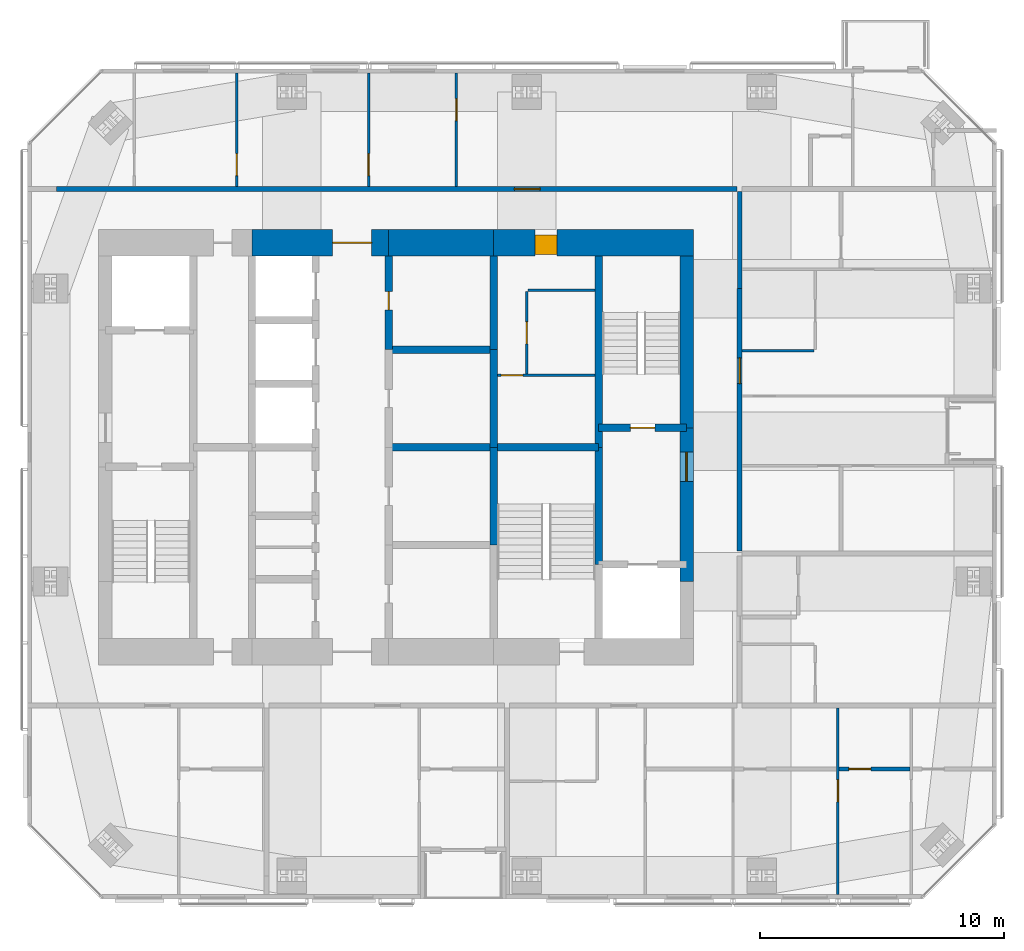
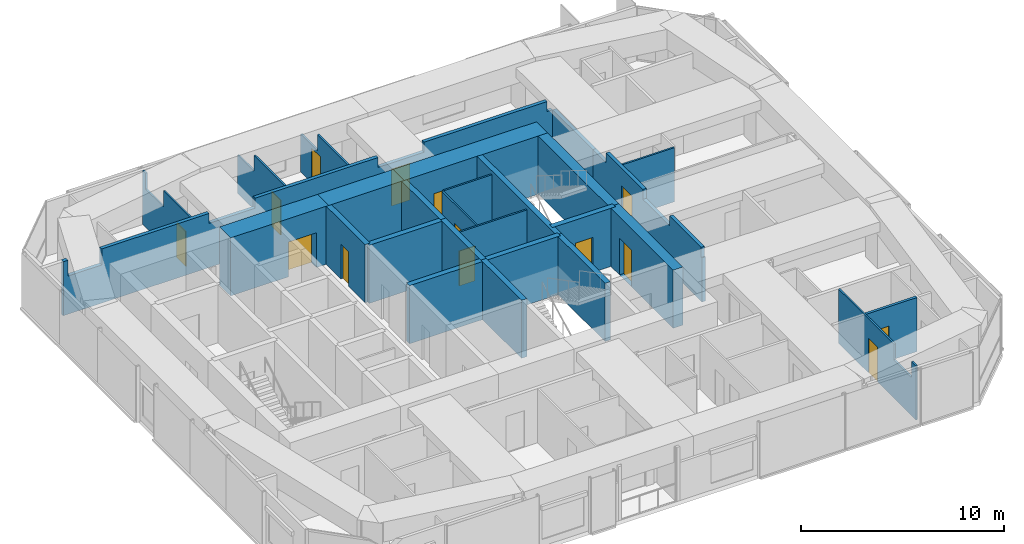
# One storey, part 17 of 20: 27 walls, 14 doors, 14 openings.
"""IFC4 building model written with IfcOpenShell, lengths in metres."""

from ifc_helpers import new_model, si_unit, direction, frame, frame_2d, origin, place, context, subcontext, project, spatial, polyline, rectangle, outline, extrude, material, layer, layer_set, constituent, constituent_set, type_object, element, fill, save


model = new_model("IFC4")

# Units and contexts
model_context = context("Model", 3, precision=1e-05, world=origin(), true_north=direction((0.0, 1.0)))
body_context = subcontext(model_context, "Body", "Model", "MODEL_VIEW")
ifc_project = project(units=[si_unit("LENGTHUNIT", "METRE"), si_unit("AREAUNIT", "SQUARE_METRE"), si_unit("VOLUMEUNIT", "CUBIC_METRE"), si_unit("PLANEANGLEUNIT", "RADIAN"), si_unit("MASSUNIT", "GRAM", prefix="KILO")], contexts=[model_context])

# Site, building, storey
site_placement = place(None, origin())
site = spatial("IfcSite", under=ifc_project, at=site_placement, CompositionType="ELEMENT")
building_placement = place(site_placement, origin())
building = spatial("IfcBuilding", under=site, at=building_placement, Name="Jalousie Tower", CompositionType="ELEMENT")
storey_placement = place(building_placement, frame((0.0, 0.0, 245.949951171875)))
storey = spatial("IfcBuildingStorey", under=building, at=storey_placement, Name="L67", CompositionType="ELEMENT", Elevation=245.949951171875)

# Wall, opening, door
ifc_material_1 = material(Name="Concrete block ASTM C90", Category="concrete")
ifc_constituent_1 = constituent(ifc_material_1, Name="Body")
ifc_material_2 = material(Name="Render")
ifc_constituent_2 = constituent(ifc_material_2, Name="Finish")
ifc_constituent_set_1 = constituent_set(constituents=[ifc_constituent_1, ifc_constituent_2])
wall_type_1 = type_object("IfcWallType", Name="BATHROOM WALL 150", PredefinedType="PLUMBINGWALL", material=ifc_constituent_set_1)
wall_1_placement = place(storey_placement, frame((50.050048828125, 5.324951171875, 0.0), z_axis=(0.0, 0.0, 1.0), x_axis=(1.0, 0.0, 0.0)))
wall_1 = element("IfcWall", 1, at=wall_1_placement, inside=storey, type_object=wall_type_1, Name="Bathroom Wall 150 L67", PredefinedType="PLUMBINGWALL", context=body_context, shape_type="SweptSolid", body=[
    extrude(rectangle(XDim=2.89990234375, YDim=0.14990234375, at=frame_2d((1.449951171875, 0.0))), origin(), (0.0, 0.0, 1.0), 3.260009765625),
])
opening_1_placement = place(wall_1_placement, frame((0.39990234375, 0.0, 0.0)))
opening_1 = element("IfcOpeningElement", 2, at=opening_1_placement, cuts=wall_1, Name="Opening D3", PredefinedType="OPENING", context=body_context, shape_type="SweptSolid", body=[
    extrude(rectangle(XDim=0.89990234375, YDim=2.10009765625, at=frame_2d((0.449951171875, 1.050048828125))), frame((0.0, 0.0849609375, 0.0), z_axis=(0.0, -1.0, 0.0), x_axis=(1.0, 0.0, 0.0)), (0.0, 0.0, 1.0), 0.169921875),
])
ifc_material_3 = material(Name="Timber door", Category="wood")
door_type_1 = type_object("IfcDoorType", Name="BATHROOM DOOR 900", OperationType="SINGLE_SWING_LEFT", PredefinedType="DOOR", material=ifc_material_3)
door_1_placement = place(opening_1_placement, origin())
door_1 = element("IfcDoor", 3, at=door_1_placement, inside=storey, type_object=door_type_1, Name="Apartment 6703 bedroom 3 bathroom door", OperationType="SINGLE_SWING_LEFT", OverallHeight=2.10009765625, OverallWidth=0.89990234375, PredefinedType="DOOR", context=body_context, shape_type="SweptSolid", body=[
    extrude(rectangle(XDim=0.89990234375, YDim=2.10009765625, at=frame_2d((0.449951171875, 1.050048828125))), frame((0.0, 0.02490234375, 0.0), z_axis=(0.0, -1.0, 0.0), x_axis=(1.0, 0.0, 0.0)), (0.0, 0.0, 1.0), 0.050048828125),
])
fill(opening_1, door_1)

ifc_material_4 = material(Name="Concrete f'c 120 MPa", Category="concrete")
ifc_layer_1 = layer(ifc_material_4, 1.10009765625)
ifc_layer_set_1 = layer_set([ifc_layer_1], Name="Concrete f'c 120 MPa")
wall_type_2 = type_object("IfcWallType", Name="CORE WALL 1100", PredefinedType="SHEAR", material=ifc_layer_set_1)
wall_2_placement = place(storey_placement, frame((44.074951171875, 26.875, 0.0), z_axis=(0.0, 0.0, 1.0), x_axis=(-1.0, 0.0, 0.0)))
wall_2 = element("IfcWall", 4, at=wall_2_placement, inside=storey, type_object=wall_type_2, Name="Core wall NA L67", PredefinedType="SHEAR", context=body_context, shape_type="SweptSolid", body=[
    extrude(rectangle(XDim=8.175048828125, YDim=1.10009765625, at=frame_2d((4.08740234375, 0.0))), origin(), (0.0, 0.0, 1.0), 3.5),
])
opening_2_placement = place(wall_2_placement, frame((5.574951171875, 0.0, 0.0)))
opening_2 = element("IfcOpeningElement", 5, at=opening_2_placement, cuts=wall_2, Name="Opening D25", PredefinedType="OPENING", context=body_context, shape_type="SweptSolid", body=[
    extrude(rectangle(XDim=0.89990234375, YDim=2.10009765625, at=frame_2d((0.449951171875, 1.050048828125))), frame((0.0, 0.56005859375, 0.0), z_axis=(0.0, -1.0, 0.0), x_axis=(1.0, 0.0, 0.0)), (0.0, 0.0, 1.0), 1.1201171875),
])
ifc_material_5 = material(Name="Steel fire door", Category="steel")
door_type_2 = type_object("IfcDoorType", Name="SERVICE LOBBY DOOR 900", OperationType="SINGLE_SWING_LEFT", PredefinedType="DOOR", material=ifc_material_5)
door_2_placement = place(opening_2_placement, origin())
door_2 = element("IfcDoor", 6, at=door_2_placement, inside=storey, type_object=door_type_2, Name="Service lobby door", OperationType="SINGLE_SWING_LEFT", OverallHeight=2.10009765625, OverallWidth=0.89990234375, PredefinedType="DOOR", context=body_context, shape_type="SweptSolid", body=[
    extrude(rectangle(XDim=0.89990234375, YDim=2.10009765625, at=frame_2d((0.449951171875, 1.050048828125))), frame((0.0, 0.47021484375, 0.0), z_axis=(0.0, -1.0, 0.0), x_axis=(1.0, 0.0, 0.0)), (0.0, 0.0, 1.0), 0.800048828125),
])
fill(opening_2, door_2)

# Wall
wall_3_placement = place(storey_placement, frame((35.89990234375, 26.875, 0.0), z_axis=(0.0, 0.0, 1.0), x_axis=(-1.0, 0.0, 0.0)))
element("IfcWall", 7, at=wall_3_placement, inside=storey, type_object=wall_type_2, Name="Core wall NB L67", PredefinedType="SHEAR", context=body_context, shape_type="SweptSolid", body=[
    extrude(rectangle(XDim=4.2998046875, YDim=1.10009765625, at=frame_2d((2.14990234375, 0.0))), origin(), (0.0, 0.0, 1.0), 3.5),
])

# Wall, opening, door
wall_4_placement = place(storey_placement, frame((31.60009765625, 26.875, 0.0), z_axis=(0.0, 0.0, 1.0), x_axis=(-1.0, 0.0, 0.0)))
wall_4 = element("IfcWall", 8, at=wall_4_placement, inside=storey, type_object=wall_type_2, Name="Core wall NC L67", PredefinedType="SHEAR", context=body_context, shape_type="SweptSolid", body=[
    extrude(rectangle(XDim=5.60009765625, YDim=1.10009765625, at=frame_2d((2.800048828125, 0.0))), origin(), (0.0, 0.0, 1.0), 3.5),
])
opening_3_placement = place(wall_4_placement, frame((0.699951171875, 0.0, 0.0)))
opening_3 = element("IfcOpeningElement", 9, at=opening_3_placement, cuts=wall_4, Name="Opening D15", PredefinedType="OPENING", context=body_context, shape_type="SweptSolid", body=[
    extrude(rectangle(XDim=1.60009765625, YDim=2.10009765625, at=frame_2d((0.800048828125, 1.050048828125))), frame((0.0, 0.56005859375, 0.0), z_axis=(0.0, -1.0, 0.0), x_axis=(1.0, 0.0, 0.0)), (0.0, 0.0, 1.0), 1.1201171875),
])
ifc_material_6 = material(Name="Steel fire door", Category="steel")
door_type_3 = type_object("IfcDoorType", Name="LIFT LOBBY DOOR 1600", OperationType="DOUBLE_DOOR_SINGLE_SWING", PredefinedType="DOOR", material=ifc_material_6)
door_3_placement = place(opening_3_placement, origin())
door_3 = element("IfcDoor", 10, at=door_3_placement, inside=storey, type_object=door_type_3, Name="Lift lobby north door", OperationType="DOUBLE_DOOR_SINGLE_SWING", OverallHeight=2.10009765625, OverallWidth=1.60009765625, PredefinedType="DOOR", context=body_context, shape_type="SweptSolid", body=[
    extrude(rectangle(XDim=1.60009765625, YDim=2.10009765625, at=frame_2d((0.800048828125, 1.050048828125))), frame((0.0, 0.02490234375, 0.0), z_axis=(0.0, -1.0, 0.0), x_axis=(1.0, 0.0, 0.0)), (0.0, 0.0, 1.0), 0.050048828125),
])
fill(opening_3, door_3)

ifc_material_7 = material(Name="Concrete f'c 120 MPa", Category="concrete")
ifc_layer_2 = layer(ifc_material_7, 0.300048828125)
ifc_layer_set_2 = layer_set([ifc_layer_2], Name="Concrete f'c 120 MPa")
wall_type_3 = type_object("IfcWallType", Name="CORE WALL 300", PredefinedType="SHEAR", material=ifc_layer_set_2)
wall_5_placement = place(storey_placement, frame((31.60009765625, 22.5, 0.0), z_axis=(0.0, 0.0, 1.0), x_axis=(0.0, 1.0, 0.0)))
wall_5 = element("IfcWall", 11, at=wall_5_placement, inside=storey, type_object=wall_type_3, Name="Core wall X31.6D L67", PredefinedType="SHEAR", context=body_context, shape_type="SweptSolid", body=[
    extrude(rectangle(XDim=3.824951171875, YDim=0.300048828125, at=frame_2d((1.91259765625, 0.0))), origin(), (0.0, 0.0, 1.0), 3.5),
])
opening_4_placement = place(wall_5_placement, frame((1.625, 0.0, 0.0)))
opening_4 = element("IfcOpeningElement", 12, at=opening_4_placement, cuts=wall_5, Name="Opening D16", PredefinedType="OPENING", context=body_context, shape_type="SweptSolid", body=[
    extrude(rectangle(XDim=0.75, YDim=2.10009765625, at=frame_2d((0.375, 1.050048828125))), frame((0.0, 0.159912109375, 0.0), z_axis=(0.0, -1.0, 0.0), x_axis=(1.0, 0.0, 0.0)), (0.0, 0.0, 1.0), 0.320068359375),
])
ifc_material_8 = material(Name="Steel fire door", Category="steel")
door_type_4 = type_object("IfcDoorType", Name="RISER DOOR 750", OperationType="SINGLE_SWING_LEFT", PredefinedType="DOOR", material=ifc_material_8)
door_4_placement = place(opening_4_placement, frame((0.75, 0.0, 0.0), z_axis=(0.0, 0.0, 1.0), x_axis=(-1.0, 0.0, 0.0)))
door_4 = element("IfcDoor", 13, at=door_4_placement, inside=storey, type_object=door_type_4, Name="Water Services Room door", OperationType="SINGLE_SWING_LEFT", OverallHeight=2.10009765625, OverallWidth=0.75, PredefinedType="DOOR", context=body_context, shape_type="SweptSolid", body=[
    extrude(rectangle(XDim=0.75, YDim=2.10009765625, at=frame_2d((0.375, 1.050048828125))), frame((0.0, 0.02490234375, 0.0), z_axis=(0.0, -1.0, 0.0), x_axis=(1.0, 0.0, 0.0)), (0.0, 0.0, 1.0), 0.050048828125),
])
fill(opening_4, door_4)

# Walls
for number, where, z_axis, x_axis, name in (
    (14, (35.89990234375, 14.5, 0.0), (0.0, 0.0, 1.0), (0.0, 1.0, 0.0), "Core wall X35.9B L67"),
    (15, (35.89990234375, 18.5, 0.0), (0.0, 0.0, 1.0), (0.0, 1.0, 0.0), "Core wall X35.9C L67"),
):
    element("IfcWall", number, at=place(storey_placement, frame(where, z_axis=z_axis, x_axis=x_axis)), inside=storey, type_object=wall_type_3, Name=name, PredefinedType="SHEAR", context=body_context, shape_type="SweptSolid", body=[
        extrude(rectangle(XDim=4.0, YDim=0.300048828125, at=frame_2d((2.0, 0.0))), origin(), (0.0, 0.0, 1.0), 3.5),
    ])
wall_6_placement = place(storey_placement, frame((35.89990234375, 22.5, 0.0), z_axis=(0.0, 0.0, 1.0), x_axis=(0.0, 1.0, 0.0)))
element("IfcWall", 16, at=wall_6_placement, inside=storey, type_object=wall_type_3, Name="Core wall X35.9D L67", PredefinedType="SHEAR", context=body_context, shape_type="SweptSolid", body=[
    extrude(rectangle(XDim=3.824951171875, YDim=0.300048828125, at=frame_2d((1.91259765625, 0.0))), origin(), (0.0, 0.0, 1.0), 3.5),
])
wall_7_placement = place(storey_placement, frame((40.199951171875, 13.699951171875, 0.0), z_axis=(0.0, 0.0, 1.0), x_axis=(0.0, 1.0, 0.0)))
element("IfcWall", 17, at=wall_7_placement, inside=storey, type_object=wall_type_3, Name="Core wall X40.2B L67", PredefinedType="SHEAR", context=body_context, shape_type="SweptSolid", body=[
    extrude(rectangle(XDim=4.800048828125, YDim=0.300048828125, at=frame_2d((2.39990234375, 0.0))), origin(), (0.0, 0.0, 1.0), 3.5),
])
wall_8_placement = place(storey_placement, frame((40.199951171875, 18.5, 0.0), z_axis=(0.0, 0.0, 1.0), x_axis=(0.0, 1.0, 0.0)))
element("IfcWall", 18, at=wall_8_placement, inside=storey, type_object=wall_type_3, Name="Core wall X40.2C L67", PredefinedType="SHEAR", context=body_context, shape_type="SweptSolid", body=[
    extrude(rectangle(XDim=7.824951171875, YDim=0.300048828125, at=frame_2d((3.91259765625, 0.0))), origin(), (0.0, 0.0, 1.0), 3.5),
])
for number, where, z_axis, x_axis, name in (
    (19, (31.60009765625, 18.5, 0.0), (0.0, 0.0, 1.0), (1.0, 0.0, 0.0), "Core wall Y31.6-18.5 L67"),
    (20, (31.60009765625, 22.5, 0.0), (0.0, 0.0, 1.0), (1.0, 0.0, 0.0), "Core wall Y31.6-22.5 L67"),
):
    element("IfcWall", number, at=place(storey_placement, frame(where, z_axis=z_axis, x_axis=x_axis)), inside=storey, type_object=wall_type_3, Name=name, PredefinedType="SHEAR", context=body_context, shape_type="SweptSolid", body=[
        extrude(rectangle(XDim=4.2998046875, YDim=0.300048828125, at=frame_2d((2.14990234375, 0.0))), origin(), (0.0, 0.0, 1.0), 3.5),
    ])
wall_9_placement = place(storey_placement, frame((35.89990234375, 18.5, 0.0), z_axis=(0.0, 0.0, 1.0), x_axis=(1.0, 0.0, 0.0)))
element("IfcWall", 21, at=wall_9_placement, inside=storey, type_object=wall_type_3, Name="Core wall Y35.9-18.5 L67", PredefinedType="SHEAR", context=body_context, shape_type="SweptSolid", body=[
    extrude(rectangle(XDim=4.300048828125, YDim=0.300048828125, at=frame_2d((2.14990234375, 0.0))), origin(), (0.0, 0.0, 1.0), 3.5),
])

# Wall, opening, door
wall_10_placement = place(storey_placement, frame((40.199951171875, 19.300048828125, 0.0), z_axis=(0.0, 0.0, 1.0), x_axis=(1.0, 0.0, 0.0)))
wall_10 = element("IfcWall", 22, at=wall_10_placement, inside=storey, type_object=wall_type_3, Name="Core wall Y40.2-19.3 L67", PredefinedType="SHEAR", context=body_context, shape_type="SweptSolid", body=[
    extrude(rectangle(XDim=3.60009765625, YDim=0.300048828125, at=frame_2d((1.800048828125, 0.0))), origin(), (0.0, 0.0, 1.0), 3.5),
])
opening_5_placement = place(wall_10_placement, frame((1.300048828125, 0.0, 0.0)))
opening_5 = element("IfcOpeningElement", 23, at=opening_5_placement, cuts=wall_10, Name="Opening D10", PredefinedType="OPENING", context=body_context, shape_type="SweptSolid", body=[
    extrude(rectangle(XDim=1.0, YDim=2.10009765625, at=frame_2d((0.5, 1.050048828125))), frame((0.0, 0.159912109375, 0.0), z_axis=(0.0, -1.0, 0.0), x_axis=(1.0, 0.0, 0.0)), (0.0, 0.0, 1.0), 0.320068359375),
])
ifc_material_9 = material(Name="Steel fire door", Category="steel")
door_type_5 = type_object("IfcDoorType", Name="STAIR DOOR 1000", OperationType="SINGLE_SWING_LEFT", PredefinedType="DOOR", material=ifc_material_9)
door_5_placement = place(opening_5_placement, origin())
door_5 = element("IfcDoor", 24, at=door_5_placement, inside=storey, type_object=door_type_5, Name="Exit stair B door", OperationType="SINGLE_SWING_RIGHT", OverallHeight=2.10009765625, OverallWidth=1.0, PredefinedType="DOOR", context=body_context, shape_type="SweptSolid", body=[
    extrude(rectangle(XDim=1.0, YDim=2.10009765625, at=frame_2d((0.5, 1.050048828125))), frame((0.0, 0.02490234375, 0.0), z_axis=(0.0, -1.0, 0.0), x_axis=(1.0, 0.0, 0.0)), (0.0, 0.0, 1.0), 0.050048828125),
])
fill(opening_5, door_5)

ifc_material_10 = material(Name="Concrete f'c 120 MPa", Category="concrete")
ifc_layer_3 = layer(ifc_material_10, 0.550048828125)
ifc_layer_set_3 = layer_set([ifc_layer_3], Name="Concrete f'c 120 MPa")
wall_type_4 = type_object("IfcWallType", Name="CORE WALL 550", PredefinedType="SHEAR", material=ifc_layer_set_3)
wall_11_placement = place(storey_placement, frame((43.800048828125, 13.0, 0.0), z_axis=(0.0, 0.0, 1.0), x_axis=(0.0, 1.0, 0.0)))
wall_11 = element("IfcWall", 25, at=wall_11_placement, inside=storey, type_object=wall_type_4, Name="Core wall EB L67", PredefinedType="SHEAR", context=body_context, shape_type="SweptSolid", body=[
    extrude(rectangle(XDim=6.300048828125, YDim=0.550048828125, at=frame_2d((3.14990234375, 0.0))), origin(), (0.0, 0.0, 1.0), 3.5),
])
opening_6_placement = place(wall_11_placement, frame((4.10009765625, 0.0, 0.0)))
opening_6 = element("IfcOpeningElement", 26, at=opening_6_placement, cuts=wall_11, Name="Opening D11", PredefinedType="OPENING", context=body_context, shape_type="SweptSolid", body=[
    extrude(rectangle(XDim=1.199951171875, YDim=2.199951171875, at=frame_2d((0.60009765625, 1.10009765625))), frame((0.0, 0.284912109375, 0.0), z_axis=(0.0, -1.0, 0.0), x_axis=(1.0, 0.0, 0.0)), (0.0, 0.0, 1.0), 0.570068359375),
])
ifc_material_11 = material(Name="Steel fire door", Category="steel")
door_type_6 = type_object("IfcDoorType", Name="FIRE DOOR 1200", OperationType="SINGLE_SWING_LEFT", PredefinedType="DOOR", material=ifc_material_11)
door_6_placement = place(opening_6_placement, origin())
door_6 = element("IfcDoor", 27, at=door_6_placement, inside=storey, type_object=door_type_6, Name="Fire-fighting lobby B door", OperationType="SINGLE_SWING_RIGHT", OverallHeight=2.199951171875, OverallWidth=1.199951171875, PredefinedType="DOOR", context=body_context, shape_type="SweptSolid", body=[
    extrude(rectangle(XDim=1.199951171875, YDim=2.199951171875, at=frame_2d((0.60009765625, 1.10009765625))), frame((0.0, 0.02490234375, 0.0), z_axis=(0.0, -1.0, 0.0), x_axis=(1.0, 0.0, 0.0)), (0.0, 0.0, 1.0), 0.050048828125),
])
fill(opening_6, door_6)

# Wall
wall_12_placement = place(storey_placement, frame((43.800048828125, 19.300048828125, 0.0), z_axis=(0.0, 0.0, 1.0), x_axis=(0.0, 1.0, 0.0)))
element("IfcWall", 28, at=wall_12_placement, inside=storey, type_object=wall_type_4, Name="Core wall EC L67", PredefinedType="SHEAR", context=body_context, shape_type="SweptSolid", body=[
    extrude(rectangle(XDim=7.02490234375, YDim=0.550048828125, at=frame_2d((3.512451171875, 0.0))), origin(), (0.0, 0.0, 1.0), 3.5),
])

# Wall, opening, door
ifc_material_12 = material(Name="Concrete block ASTM C90", Category="concrete")
ifc_constituent_3 = constituent(ifc_material_12, Name="Body")
ifc_material_13 = material(Name="Render")
ifc_constituent_4 = constituent(ifc_material_13, Name="Finish")
ifc_constituent_set_2 = constituent_set(constituents=[ifc_constituent_3, ifc_constituent_4])
wall_type_5 = type_object("IfcWallType", Name="CORRIDOR WALL 200", PredefinedType="PARTITIONING", material=ifc_constituent_set_2)
wall_13_placement = place(storey_placement, frame((18.0, 29.074951171875, 0.0), z_axis=(0.0, 0.0, 1.0), x_axis=(1.0, 0.0, 0.0)))
wall_13 = element("IfcWall", 29, at=wall_13_placement, inside=storey, type_object=wall_type_5, Name="Corridor Wall 200 L67", PredefinedType="PARTITIONING", context=body_context, shape_type="SweptSolid", body=[
    extrude(outline(polyline([(0.0, 0.0), (27.875, 0.0), (27.875, 3.260009765625), (27.875, 2.66015625), (27.56494140625, 2.66015625), (27.56494140625, 3.260009765625), (20.56005859375, 3.260009765625), (20.56005859375, 2.66015625), (17.93994140625, 2.66015625), (17.93994140625, 3.260009765625), (10.93505859375, 3.260009765625), (10.93505859375, 2.66015625), (8.31494140625, 2.66015625), (8.31494140625, 3.260009765625), (2.191650390625, 3.260009765625), (2.191650390625, 2.300048828125), (0.25634765625, 2.300048828125), (0.25634765625, 3.260009765625), (0.0, 3.260009765625), (0.0, 0.0)])), frame((0.0, 0.10009765625, 0.0), z_axis=(0.0, -1.0, 0.0), x_axis=(1.0, 0.0, 0.0)), (0.0, 0.0, 1.0), 0.199951171875),
])
opening_7_placement = place(wall_13_placement, frame((18.75, 0.0, 0.0)))
opening_7 = element("IfcOpeningElement", 30, at=opening_7_placement, cuts=wall_13, Name="Opening D1", PredefinedType="OPENING", context=body_context, shape_type="SweptSolid", body=[
    extrude(rectangle(XDim=1.050048828125, YDim=2.199951171875, at=frame_2d((0.52490234375, 1.10009765625))), frame((0.0, 0.10986328125, 0.0), z_axis=(0.0, -1.0, 0.0), x_axis=(1.0, 0.0, 0.0)), (0.0, 0.0, 1.0), 0.219970703125),
])
ifc_material_14 = material(Name="Timber fire door", Category="wood")
door_type_7 = type_object("IfcDoorType", Name="APARTMENT ENTRANCE DOOR 1050", OperationType="SINGLE_SWING_LEFT", PredefinedType="DOOR", material=ifc_material_14)
door_7_placement = place(opening_7_placement, origin())
door_7 = element("IfcDoor", 31, at=door_7_placement, inside=storey, type_object=door_type_7, Name="Apartment 6704 entrance", OperationType="SINGLE_SWING_LEFT", OverallHeight=2.199951171875, OverallWidth=1.050048828125, PredefinedType="DOOR", context=body_context, shape_type="SweptSolid", body=[
    extrude(rectangle(XDim=1.050048828125, YDim=2.199951171875, at=frame_2d((0.52490234375, 1.10009765625))), frame((0.0, 0.02490234375, 0.0), z_axis=(0.0, -1.0, 0.0), x_axis=(1.0, 0.0, 0.0)), (0.0, 0.0, 1.0), 0.050048828125),
])
fill(opening_7, door_7)

wall_14_placement = place(storey_placement, frame((45.97509765625, 14.25, 0.0), z_axis=(0.0, 0.0, 1.0), x_axis=(0.0, 1.0, 0.0)))
wall_14 = element("IfcWall", 32, at=wall_14_placement, inside=storey, type_object=wall_type_5, Name="Corridor Wall 200 L67-A", PredefinedType="PARTITIONING", context=body_context, shape_type="SweptSolid", body=[
    extrude(outline(polyline([(0.0, 0.0), (10.75, 0.0), (10.75, 2.66015625), (9.43994140625, 2.66015625), (9.43994140625, 3.260009765625), (5.81005859375, 3.260009765625), (5.81005859375, 2.66015625), (3.18994140625, 2.66015625), (3.18994140625, 3.260009765625), (0.06005859375, 3.260009765625), (0.06005859375, 2.66015625), (0.0, 2.66015625), (0.0, 0.0)])), frame((0.0, 0.10009765625, 0.0), z_axis=(0.0, -1.0, 0.0), x_axis=(1.0, 0.0, 0.0)), (0.0, 0.0, 1.0), 0.199951171875),
])
opening_8_placement = place(wall_14_placement, frame((6.862548828125, 0.0, 0.0)))
opening_8 = element("IfcOpeningElement", 33, at=opening_8_placement, cuts=wall_14, Name="Opening D1", PredefinedType="OPENING", context=body_context, shape_type="SweptSolid", body=[
    extrude(rectangle(XDim=1.050048828125, YDim=2.199951171875, at=frame_2d((0.52490234375, 1.10009765625))), frame((0.0, 0.10986328125, 0.0), z_axis=(0.0, -1.0, 0.0), x_axis=(1.0, 0.0, 0.0)), (0.0, 0.0, 1.0), 0.219970703125),
])
door_8_placement = place(opening_8_placement, frame((1.050048828125, 0.0, 0.0), z_axis=(0.0, 0.0, 1.0), x_axis=(-1.0, 0.0, 0.0)))
door_8 = element("IfcDoor", 34, at=door_8_placement, inside=storey, type_object=door_type_7, Name="Apartment 6706 entrance", OperationType="SINGLE_SWING_LEFT", OverallHeight=2.199951171875, OverallWidth=1.050048828125, PredefinedType="DOOR", context=body_context, shape_type="SweptSolid", body=[
    extrude(rectangle(XDim=1.050048828125, YDim=2.199951171875, at=frame_2d((0.52490234375, 1.10009765625))), frame((0.0, 0.02490234375, 0.0), z_axis=(0.0, -1.0, 0.0), x_axis=(1.0, 0.0, 0.0)), (0.0, 0.0, 1.0), 0.050048828125),
])
fill(opening_8, door_8)

# Wall
wall_15_placement = place(storey_placement, frame((45.97509765625, 25.0, 0.0), z_axis=(0.0, 0.0, 1.0), x_axis=(0.0, 1.0, 0.0)))
element("IfcWall", 35, at=wall_15_placement, inside=storey, type_object=wall_type_5, Name="Corridor Wall 200 L67-B", PredefinedType="PARTITIONING", context=body_context, shape_type="SweptSolid", body=[
    extrude(rectangle(XDim=3.97509765625, YDim=0.199951171875, at=frame_2d((1.987548828125, 0.0))), origin(), (0.0, 0.0, 1.0), 2.66015625),
])

# Wall, opening, door
ifc_material_15 = material(Name="Gypsum board", Category="gypsum")
ifc_constituent_5 = constituent(ifc_material_15, Name="Body")
ifc_material_16 = material(Name="Light-gauge steel studs ASTM A653 SS Grade 33", Category="steel")
ifc_constituent_6 = constituent(ifc_material_16, Name="Framing")
ifc_constituent_set_3 = constituent_set(constituents=[ifc_constituent_5, ifc_constituent_6])
wall_type_6 = type_object("IfcWallType", Name="PARTITION 100", PredefinedType="PARTITIONING", material=ifc_constituent_set_3)
wall_16_placement = place(storey_placement, frame((50.0, 0.175048828125, 0.0), z_axis=(0.0, 0.0, 1.0), x_axis=(0.0, 1.0, 0.0)))
wall_16 = element("IfcWall", 36, at=wall_16_placement, inside=storey, type_object=wall_type_6, Name="Partition 100 L67", PredefinedType="PARTITIONING", context=body_context, shape_type="SweptSolid", body=[
    extrude(outline(polyline([(0.0, 0.0), (7.64990234375, 0.0), (7.64990234375, 3.260009765625), (2.177001953125, 3.260009765625), (2.177001953125, 2.300048828125), (0.432373046875, 2.300048828125), (0.432373046875, 3.260009765625), (0.0, 3.260009765625), (0.0, 0.0)])), frame((0.0, 0.050048828125, 0.0), z_axis=(0.0, -1.0, 0.0), x_axis=(1.0, 0.0, 0.0)), (0.0, 0.0, 1.0), 0.10009765625),
])
opening_9_placement = place(wall_16_placement, frame((3.800048828125, 0.0, 0.0)))
opening_9 = element("IfcOpeningElement", 37, at=opening_9_placement, cuts=wall_16, Name="Opening D2", PredefinedType="OPENING", context=body_context, shape_type="SweptSolid", body=[
    extrude(rectangle(XDim=0.89990234375, YDim=2.10009765625, at=frame_2d((0.449951171875, 1.050048828125))), frame((0.0, 0.06005859375, 0.0), z_axis=(0.0, -1.0, 0.0), x_axis=(1.0, 0.0, 0.0)), (0.0, 0.0, 1.0), 0.1201171875),
])
ifc_material_17 = material(Name="Timber door", Category="wood")
door_type_8 = type_object("IfcDoorType", Name="BEDROOM DOOR 900", OperationType="SINGLE_SWING_LEFT", PredefinedType="DOOR", material=ifc_material_17)
door_9_placement = place(opening_9_placement, origin())
door_9 = element("IfcDoor", 38, at=door_9_placement, inside=storey, type_object=door_type_8, Name="Apartment 6703 bedroom 3 door", OperationType="SINGLE_SWING_RIGHT", OverallHeight=2.10009765625, OverallWidth=0.89990234375, PredefinedType="DOOR", context=body_context, shape_type="SweptSolid", body=[
    extrude(rectangle(XDim=0.89990234375, YDim=2.10009765625, at=frame_2d((0.449951171875, 1.050048828125))), frame((0.0, 0.02490234375, 0.0), z_axis=(0.0, -1.0, 0.0), x_axis=(1.0, 0.0, 0.0)), (0.0, 0.0, 1.0), 0.050048828125),
])
fill(opening_9, door_9)

wall_17_placement = place(storey_placement, frame((25.375, 33.824951171875, 0.0), z_axis=(0.0, 0.0, 1.0), x_axis=(0.0, -1.0, 0.0)))
wall_17 = element("IfcWall", 39, at=wall_17_placement, inside=storey, type_object=wall_type_6, Name="Partition 100 L67", PredefinedType="PARTITIONING", context=body_context, shape_type="SweptSolid", body=[
    extrude(outline(polyline([(0.0, 0.0), (4.64990234375, 0.0), (4.64990234375, 3.260009765625), (2.028564453125, 3.260009765625), (2.028564453125, 2.300048828125), (0.283935546875, 2.300048828125), (0.283935546875, 3.260009765625), (0.0, 3.260009765625), (0.0, 0.0)])), frame((0.0, 0.050048828125, 0.0), z_axis=(0.0, -1.0, 0.0), x_axis=(1.0, 0.0, 0.0)), (0.0, 0.0, 1.0), 0.10009765625),
])
opening_10_placement = place(wall_17_placement, frame((3.300048828125, 0.0, 0.0)))
opening_10 = element("IfcOpeningElement", 40, at=opening_10_placement, cuts=wall_17, Name="Opening D2", PredefinedType="OPENING", context=body_context, shape_type="SweptSolid", body=[
    extrude(rectangle(XDim=0.89990234375, YDim=2.10009765625, at=frame_2d((0.449951171875, 1.050048828125))), frame((0.0, 0.06005859375, 0.0), z_axis=(0.0, -1.0, 0.0), x_axis=(1.0, 0.0, 0.0)), (0.0, 0.0, 1.0), 0.1201171875),
])
door_10_placement = place(opening_10_placement, origin())
door_10 = element("IfcDoor", 41, at=door_10_placement, inside=storey, type_object=door_type_8, Name="Apartment 6704 bedroom 2 door", OperationType="SINGLE_SWING_RIGHT", OverallHeight=2.10009765625, OverallWidth=0.89990234375, PredefinedType="DOOR", context=body_context, shape_type="SweptSolid", body=[
    extrude(rectangle(XDim=0.89990234375, YDim=2.10009765625, at=frame_2d((0.449951171875, 1.050048828125))), frame((0.0, 0.02490234375, 0.0), z_axis=(0.0, -1.0, 0.0), x_axis=(1.0, 0.0, 0.0)), (0.0, 0.0, 1.0), 0.050048828125),
])
fill(opening_10, door_10)

wall_18_placement = place(storey_placement, frame((30.77490234375, 33.824951171875, 0.0), z_axis=(0.0, 0.0, 1.0), x_axis=(0.0, -1.0, 0.0)))
wall_18 = element("IfcWall", 42, at=wall_18_placement, inside=storey, type_object=wall_type_6, Name="Partition 100 L67", PredefinedType="PARTITIONING", context=body_context, shape_type="SweptSolid", body=[
    extrude(outline(polyline([(0.0, 0.0), (4.64990234375, 0.0), (4.64990234375, 3.260009765625), (1.635009765625, 3.260009765625), (1.635009765625, 2.300048828125), (0.0, 2.300048828125), (0.0, 3.260009765625), (0.0, 0.0)])), frame((0.0, 0.050048828125, 0.0), z_axis=(0.0, -1.0, 0.0), x_axis=(1.0, 0.0, 0.0)), (0.0, 0.0, 1.0), 0.10009765625),
])
opening_11_placement = place(wall_18_placement, frame((3.300048828125, 0.0, 0.0)))
opening_11 = element("IfcOpeningElement", 43, at=opening_11_placement, cuts=wall_18, Name="Opening D2", PredefinedType="OPENING", context=body_context, shape_type="SweptSolid", body=[
    extrude(rectangle(XDim=0.89990234375, YDim=2.10009765625, at=frame_2d((0.449951171875, 1.050048828125))), frame((0.0, 0.06005859375, 0.0), z_axis=(0.0, -1.0, 0.0), x_axis=(1.0, 0.0, 0.0)), (0.0, 0.0, 1.0), 0.1201171875),
])
door_11_placement = place(opening_11_placement, frame((0.89990234375, 0.0, 0.0), z_axis=(0.0, 0.0, 1.0), x_axis=(-1.0, 0.0, 0.0)))
door_11 = element("IfcDoor", 44, at=door_11_placement, inside=storey, type_object=door_type_8, Name="Apartment 6704 bedroom 3 door", OperationType="SINGLE_SWING_LEFT", OverallHeight=2.10009765625, OverallWidth=0.89990234375, PredefinedType="DOOR", context=body_context, shape_type="SweptSolid", body=[
    extrude(rectangle(XDim=0.89990234375, YDim=2.10009765625, at=frame_2d((0.449951171875, 1.050048828125))), frame((0.0, 0.02490234375, 0.0), z_axis=(0.0, -1.0, 0.0), x_axis=(1.0, 0.0, 0.0)), (0.0, 0.0, 1.0), 0.050048828125),
])
fill(opening_11, door_11)

wall_19_placement = place(storey_placement, frame((34.375, 33.824951171875, 0.0), z_axis=(0.0, 0.0, 1.0), x_axis=(0.0, -1.0, 0.0)))
wall_19 = element("IfcWall", 45, at=wall_19_placement, inside=storey, type_object=wall_type_6, Name="Partition 100 L67", PredefinedType="PARTITIONING", context=body_context, shape_type="SweptSolid", body=[
    extrude(outline(polyline([(0.0, 0.0), (4.64990234375, 0.0), (4.64990234375, 3.260009765625), (1.635009765625, 3.260009765625), (1.635009765625, 2.300048828125), (0.0, 2.300048828125), (0.0, 3.260009765625), (0.0, 0.0)])), frame((0.0, 0.050048828125, 0.0), z_axis=(0.0, -1.0, 0.0), x_axis=(1.0, 0.0, 0.0)), (0.0, 0.0, 1.0), 0.10009765625),
])
opening_12_placement = place(wall_19_placement, frame((1.050048828125, 0.0, 0.0)))
opening_12 = element("IfcOpeningElement", 46, at=opening_12_placement, cuts=wall_19, Name="Opening D2", PredefinedType="OPENING", context=body_context, shape_type="SweptSolid", body=[
    extrude(rectangle(XDim=0.89990234375, YDim=2.10009765625, at=frame_2d((0.449951171875, 1.050048828125))), frame((0.0, 0.06005859375, 0.0), z_axis=(0.0, -1.0, 0.0), x_axis=(1.0, 0.0, 0.0)), (0.0, 0.0, 1.0), 0.1201171875),
])
door_12_placement = place(opening_12_placement, frame((0.89990234375, 0.0, 0.0), z_axis=(0.0, 0.0, 1.0), x_axis=(-1.0, 0.0, 0.0)))
door_12 = element("IfcDoor", 47, at=door_12_placement, inside=storey, type_object=door_type_8, Name="Apartment 6704 bedroom 4 door", OperationType="SINGLE_SWING_RIGHT", OverallHeight=2.10009765625, OverallWidth=0.89990234375, PredefinedType="DOOR", context=body_context, shape_type="SweptSolid", body=[
    extrude(rectangle(XDim=0.89990234375, YDim=2.10009765625, at=frame_2d((0.449951171875, 1.050048828125))), frame((0.0, 0.02490234375, 0.0), z_axis=(0.0, -1.0, 0.0), x_axis=(1.0, 0.0, 0.0)), (0.0, 0.0, 1.0), 0.050048828125),
])
fill(opening_12, door_12)

# Walls
wall_20_placement = place(storey_placement, frame((49.02490234375, 22.449951171875, 0.0), z_axis=(0.0, 0.0, 1.0), x_axis=(-1.0, 0.0, 0.0)))
element("IfcWall", 48, at=wall_20_placement, inside=storey, type_object=wall_type_6, Name="Partition 100 L67", PredefinedType="PARTITIONING", context=body_context, shape_type="SweptSolid", body=[
    extrude(rectangle(XDim=2.949951171875, YDim=0.10009765625, at=frame_2d((1.47509765625, 0.0))), origin(), (0.0, 0.0, 1.0), 3.260009765625),
])
wall_21_placement = place(storey_placement, frame((37.300048828125, 24.925048828125, 0.0), z_axis=(0.0, 0.0, 1.0), x_axis=(1.0, 0.0, 0.0)))
element("IfcWall", 49, at=wall_21_placement, inside=storey, type_object=wall_type_6, Name="Partition 100 L67", PredefinedType="PARTITIONING", context=body_context, shape_type="SweptSolid", body=[
    extrude(rectangle(XDim=2.75, YDim=0.10009765625, at=frame_2d((1.375, 0.0))), origin(), (0.0, 0.0, 1.0), 3.260009765625),
])

# Wall, opening, door
wall_22_placement = place(storey_placement, frame((37.25, 21.5, 0.0), z_axis=(0.0, 0.0, 1.0), x_axis=(0.0, 1.0, 0.0)))
wall_22 = element("IfcWall", 50, at=wall_22_placement, inside=storey, type_object=wall_type_6, Name="Partition 100 L67", PredefinedType="PARTITIONING", context=body_context, shape_type="SweptSolid", body=[
    extrude(rectangle(XDim=3.375, YDim=0.10009765625, at=frame_2d((1.6875, 0.0))), origin(), (0.0, 0.0, 1.0), 3.260009765625),
])
opening_13_placement = place(wall_22_placement, frame((1.237548828125, 0.0, 0.0)))
opening_13 = element("IfcOpeningElement", 51, at=opening_13_placement, cuts=wall_22, Name="Opening D7", PredefinedType="OPENING", context=body_context, shape_type="SweptSolid", body=[
    extrude(rectangle(XDim=0.89990234375, YDim=2.10009765625, at=frame_2d((0.449951171875, 1.050048828125))), frame((0.0, 0.06005859375, 0.0), z_axis=(0.0, -1.0, 0.0), x_axis=(1.0, 0.0, 0.0)), (0.0, 0.0, 1.0), 0.1201171875),
])
ifc_material_18 = material(Name="Timber door", Category="wood")
door_type_9 = type_object("IfcDoorType", Name="INTERNAL DOOR 900", OperationType="SINGLE_SWING_LEFT", PredefinedType="DOOR", material=ifc_material_18)
door_13_placement = place(opening_13_placement, frame((0.89990234375, 0.0, 0.0), z_axis=(0.0, 0.0, 1.0), x_axis=(-1.0, 0.0, 0.0)))
door_13 = element("IfcDoor", 52, at=door_13_placement, inside=storey, type_object=door_type_9, Name="Ice and vending room door", OperationType="SINGLE_SWING_RIGHT", OverallHeight=2.10009765625, OverallWidth=0.89990234375, PredefinedType="DOOR", context=body_context, shape_type="SweptSolid", body=[
    extrude(rectangle(XDim=0.89990234375, YDim=2.10009765625, at=frame_2d((0.449951171875, 1.050048828125))), frame((0.0, 0.02490234375, 0.0), z_axis=(0.0, -1.0, 0.0), x_axis=(1.0, 0.0, 0.0)), (0.0, 0.0, 1.0), 0.050048828125),
])
fill(opening_13, door_13)

wall_23_placement = place(storey_placement, frame((36.050048828125, 21.449951171875, 0.0), z_axis=(0.0, 0.0, 1.0), x_axis=(1.0, 0.0, 0.0)))
wall_23 = element("IfcWall", 53, at=wall_23_placement, inside=storey, type_object=wall_type_6, Name="Partition 100 L67", PredefinedType="PARTITIONING", context=body_context, shape_type="SweptSolid", body=[
    extrude(rectangle(XDim=4.0, YDim=0.10009765625, at=frame_2d((2.0, 0.0))), origin(), (0.0, 0.0, 1.0), 3.260009765625),
])
opening_14_placement = place(wall_23_placement, frame((0.14990234375, 0.0, 0.0)))
opening_14 = element("IfcOpeningElement", 54, at=opening_14_placement, cuts=wall_23, Name="Opening D7", PredefinedType="OPENING", context=body_context, shape_type="SweptSolid", body=[
    extrude(rectangle(XDim=0.89990234375, YDim=2.10009765625, at=frame_2d((0.449951171875, 1.050048828125))), frame((0.0, 0.06005859375, 0.0), z_axis=(0.0, -1.0, 0.0), x_axis=(1.0, 0.0, 0.0)), (0.0, 0.0, 1.0), 0.1201171875),
])
door_14_placement = place(opening_14_placement, frame((0.89990234375, 0.0, 0.0), z_axis=(0.0, 0.0, 1.0), x_axis=(-1.0, 0.0, 0.0)))
door_14 = element("IfcDoor", 55, at=door_14_placement, inside=storey, type_object=door_type_9, Name="Linen store door", OperationType="SINGLE_SWING_RIGHT", OverallHeight=2.10009765625, OverallWidth=0.89990234375, PredefinedType="DOOR", context=body_context, shape_type="SweptSolid", body=[
    extrude(rectangle(XDim=0.89990234375, YDim=2.10009765625, at=frame_2d((0.449951171875, 1.050048828125))), frame((0.0, 0.02490234375, 0.0), z_axis=(0.0, -1.0, 0.0), x_axis=(1.0, 0.0, 0.0)), (0.0, 0.0, 1.0), 0.050048828125),
])
fill(opening_14, door_14)

save(model, "model.ifc")
